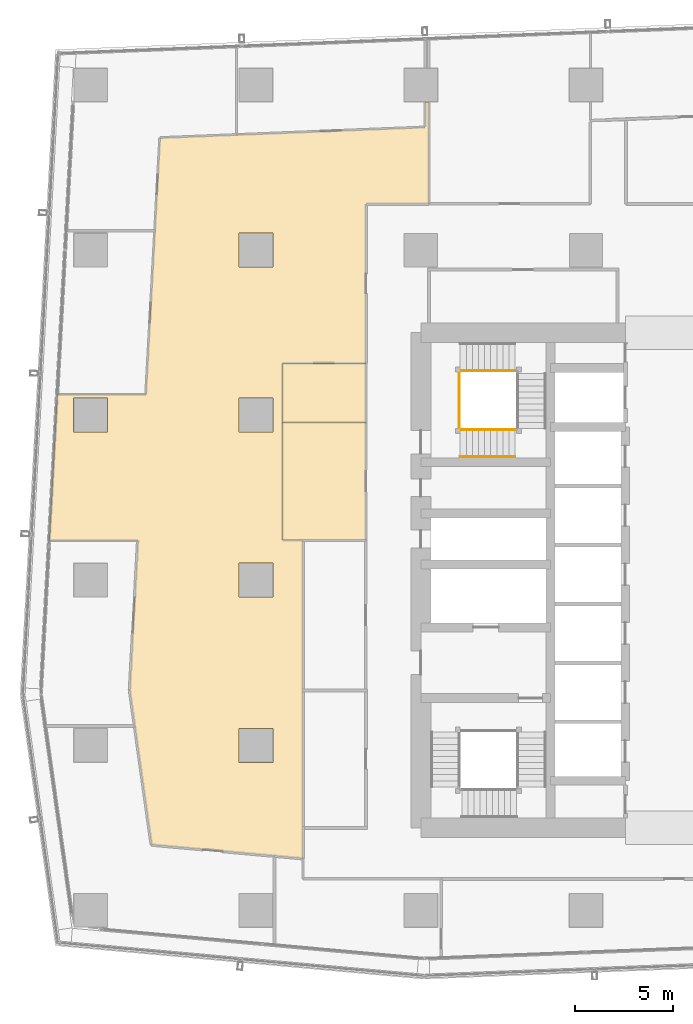
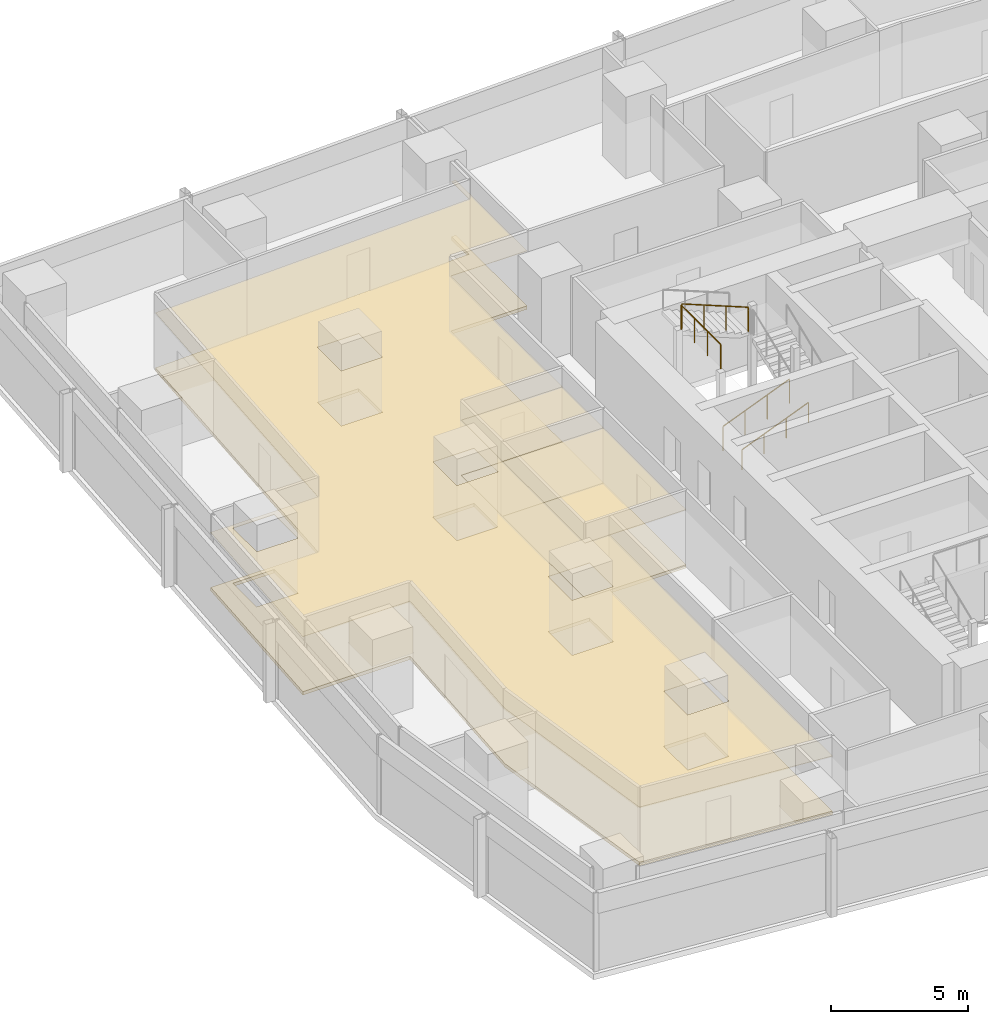
# One storey, part 35 of 40: 6 coverings, 4 railings.
"""IFC4 building model written with IfcOpenShell, lengths in metres."""

from ifc_helpers import new_model, si_unit, direction, frame, origin, origin_2d, place, context, subcontext, project, spatial, polyline, circle, outline, extrude, material, layer, layer_set, type_object, element, save


model = new_model("IFC4")

# Units and contexts
model_context = context("Model", 3, precision=1e-05, world=origin(), true_north=direction((0.0, 1.0)))
body_context = subcontext(model_context, "Body", "Model", "MODEL_VIEW")
ifc_project = project(units=[si_unit("LENGTHUNIT", "METRE"), si_unit("AREAUNIT", "SQUARE_METRE"), si_unit("VOLUMEUNIT", "CUBIC_METRE"), si_unit("PLANEANGLEUNIT", "RADIAN"), si_unit("MASSUNIT", "GRAM", prefix="KILO")], contexts=[model_context])

# Site, building, storey
site_placement = place(None, origin())
site = spatial("IfcSite", under=ifc_project, at=site_placement, CompositionType="ELEMENT")
building_placement = place(site_placement, origin())
building = spatial("IfcBuilding", under=site, at=building_placement, Name="Rekha Terrace Tower", CompositionType="ELEMENT")
storey_placement = place(building_placement, frame((0.0, 0.0, 106.550048828125)))
storey = spatial("IfcBuildingStorey", under=building, at=storey_placement, Name="L26", CompositionType="ELEMENT", Elevation=106.550048828125)

# Coverings
ifc_material_1 = material(Name="Mineral fibre tile in exposed grid", Category="finish")
ifc_layer_1 = layer(ifc_material_1, 0.02001953125)
ifc_layer_set_1 = layer_set([ifc_layer_1], Name="Mineral fibre tile in exposed grid")
covering_type_1 = type_object("IfcCoveringType", Name="CL1 600x1200 office grid ceiling", PredefinedType="CEILING", material=ifc_layer_set_1)
covering_1_placement = place(storey_placement, frame((0.0, 0.0, 2.579833984375)))
element("IfcCovering", 1, at=covering_1_placement, inside=storey, type_object=covering_type_1, Name="Ceiling L26-16", PredefinedType="CEILING", context=body_context, shape_type="SweptSolid", body=[
    extrude(outline(polyline([(22.39990234375, 41.636962890625), (18.14990234375, 41.636962890625), (18.14990234375, 35.637939453125), (22.39990234375, 35.637939453125), (22.39990234375, 41.636962890625)])), origin(), (0.0, 0.0, 1.0), 0.02001953125),
])
covering_2_placement = place(storey_placement, frame((0.0, 0.0, 2.579833984375)))
element("IfcCovering", 2, at=covering_2_placement, inside=storey, type_object=covering_type_1, Name="Ceiling L26-17", PredefinedType="CEILING", context=body_context, shape_type="SweptSolid", body=[
    extrude(outline(polyline([(22.39990234375, 44.636962890625), (18.14990234375, 44.636962890625), (18.14990234375, 41.636962890625), (22.39990234375, 41.636962890625), (22.39990234375, 44.636962890625)])), origin(), (0.0, 0.0, 1.0), 0.02001953125),
])
covering_3_placement = place(storey_placement, frame((0.0, 0.0, 2.579833984375)))
element("IfcCovering", 3, at=covering_3_placement, inside=storey, type_object=covering_type_1, Name="Ceiling L26-O2", PredefinedType="CEILING", context=body_context, shape_type="SweptSolid", body=[
    extrude(outline(polyline([(10.381103515625, 28.006103515625), (10.638916015625, 26.177001953125), (11.489990234375, 20.138916015625), (17.7529296875, 19.570068359375), (19.199951171875, 19.43896484375), (19.199951171875, 35.636962890625), (18.14990234375, 35.636962890625), (18.14990234375, 44.636962890625), (22.39990234375, 44.636962890625), (22.39990234375, 52.75), (25.60009765625, 52.75), (25.60009765625, 57.93505859375), (25.4130859375, 57.93505859375), (25.4130859375, 56.64990234375), (15.799072265625, 56.263916015625), (11.922119140625, 56.10888671875), (11.6630859375, 51.3779296875), (11.2060546875, 43.0458984375), (6.698974609375, 43.0458984375), (6.29296875, 35.634033203125), (10.800048828125, 35.634033203125), (10.381103515625, 28.006103515625)]), holes=[polyline([(17.6650390625, 26.06494140625), (17.6650390625, 24.3349609375), (15.93505859375, 24.3349609375), (15.93505859375, 26.06494140625), (17.6650390625, 26.06494140625)]), polyline([(17.6650390625, 34.465087890625), (17.6650390625, 32.735107421875), (15.93505859375, 32.735107421875), (15.93505859375, 34.465087890625), (17.6650390625, 34.465087890625)]), polyline([(17.6650390625, 41.135009765625), (15.93505859375, 41.135009765625), (15.93505859375, 42.864990234375), (17.6650390625, 42.864990234375), (17.6650390625, 41.135009765625)]), polyline([(17.6650390625, 49.534912109375), (15.93505859375, 49.534912109375), (15.93505859375, 51.264892578125), (17.6650390625, 51.264892578125), (17.6650390625, 49.534912109375)]), polyline([(9.264892578125, 41.135009765625), (7.534912109375, 41.135009765625), (7.534912109375, 42.864990234375), (9.264892578125, 42.864990234375), (9.264892578125, 41.135009765625)])]), origin(), (0.0, 0.0, 1.0), 0.02001953125),
])

# Railings
ifc_material_2 = material(Name="Stainless steel balustrade", Category="steel")
railing_type_1 = type_object("IfcRailingType", Name="GR1 1100 stair guard", PredefinedType="GUARDRAIL", material=ifc_material_2)
railing_1_placement = place(storey_placement, frame((27.199951171875, 41.264892578125, 0.125)))
element("IfcRailing", 4, at=railing_1_placement, inside=storey, type_object=railing_type_1, Name="Guard ST4 L26 flight 1", PredefinedType="GUARDRAIL", context=body_context, shape_type="SweptSolid", body=[
    extrude(circle(Radius=0.02392578125, at=origin_2d()), frame((0.0, 0.0, 1.076171875), z_axis=(0.927443287984, 0.0, 0.373963831907), x_axis=(0.0, 1.0, 0.0)), (0.0, 0.0, 1.0), 3.00830078125),
    extrude(circle(Radius=0.02099609375, at=origin_2d()), origin(), (0.0, 0.0, 1.0), 1.052001953125),
    extrude(circle(Radius=0.02099609375, at=origin_2d()), frame((0.929931640625, 0.0, 0.375)), (0.0, 0.0, 1.0), 1.052001953125),
    extrude(circle(Radius=0.02099609375, at=origin_2d()), frame((1.860107421875, 0.0, 0.75)), (0.0, 0.0, 1.0), 1.052001953125),
    extrude(circle(Radius=0.02099609375, at=origin_2d()), frame((2.7900390625, 0.0, 1.125)), (0.0, 0.0, 1.0), 1.052001953125),
])
railing_2_placement = place(storey_placement, frame((29.989990234375, 44.260009765625, 2.625)))
element("IfcRailing", 5, at=railing_2_placement, inside=storey, type_object=railing_type_1, Name="Guard ST4 L26 flight 3", PredefinedType="GUARDRAIL", context=body_context, shape_type="SweptSolid", body=[
    extrude(circle(Radius=0.02392578125, at=origin_2d()), frame((0.0, 0.0, 1.076171875), z_axis=(-0.927443287984, 0.0, 0.373963831907), x_axis=(0.0, -1.0, 0.0)), (0.0, 0.0, 1.0), 3.00830078125),
    extrude(circle(Radius=0.02099609375, at=origin_2d()), origin(), (0.0, 0.0, 1.0), 1.052001953125),
    extrude(circle(Radius=0.02099609375, at=origin_2d()), frame((-0.929931640625, 0.0, 0.375)), (0.0, 0.0, 1.0), 1.052001953125),
    extrude(circle(Radius=0.02099609375, at=origin_2d()), frame((-1.860107421875, 0.0, 0.75)), (0.0, 0.0, 1.0), 1.052001953125),
    extrude(circle(Radius=0.02099609375, at=origin_2d()), frame((-2.7900390625, 0.0, 1.125)), (0.0, 0.0, 1.0), 1.052001953125),
])
railing_3_placement = place(storey_placement, frame((27.139892578125, 41.324951171875, 3.75)))
element("IfcRailing", 6, at=railing_3_placement, inside=storey, type_object=railing_type_1, Name="Guard ST4 L26 landing 4", PredefinedType="GUARDRAIL", context=body_context, shape_type="SweptSolid", body=[
    extrude(circle(Radius=0.02392578125, at=origin_2d()), frame((0.0, 0.0, 1.076171875), z_axis=(0.0, 1.0, 0.0), x_axis=(-1.0, 0.0, 0.0)), (0.0, 0.0, 1.0), 2.875),
    extrude(circle(Radius=0.02099609375, at=origin_2d()), origin(), (0.0, 0.0, 1.0), 1.052001953125),
    extrude(circle(Radius=0.02099609375, at=origin_2d()), frame((0.0, 0.958251953125, 0.0)), (0.0, 0.0, 1.0), 1.052001953125),
    extrude(circle(Radius=0.02099609375, at=origin_2d()), frame((0.0, 1.916748046875, 0.0)), (0.0, 0.0, 1.0), 1.052001953125),
    extrude(circle(Radius=0.02099609375, at=origin_2d()), frame((0.0, 2.875, 0.0)), (0.0, 0.0, 1.0), 1.052001953125),
])
ifc_material_3 = material(Name="Stainless steel tube", Category="steel")
railing_type_2 = type_object("IfcRailingType", Name="HR1 900 stair handrail", PredefinedType="HANDRAIL", material=ifc_material_3)
railing_4_placement = place(storey_placement, frame((27.199951171875, 39.885009765625, 0.125)))
element("IfcRailing", 7, at=railing_4_placement, inside=storey, type_object=railing_type_2, Name="Handrail ST4 L26 flight 1", PredefinedType="HANDRAIL", context=body_context, shape_type="SweptSolid", body=[
    extrude(circle(Radius=0.02392578125, at=origin_2d()), frame((0.0, 0.0, 0.8759765625), z_axis=(0.927443287984, 0.0, 0.373963831907), x_axis=(0.0, 1.0, 0.0)), (0.0, 0.0, 1.0), 3.00830078125),
    extrude(circle(Radius=0.02099609375, at=origin_2d()), origin(), (0.0, 0.0, 1.0), 0.851806640625),
    extrude(circle(Radius=0.02099609375, at=origin_2d()), frame((0.929931640625, 0.0, 0.375)), (0.0, 0.0, 1.0), 0.851806640625),
    extrude(circle(Radius=0.02099609375, at=origin_2d()), frame((1.860107421875, 0.0, 0.75)), (0.0, 0.0, 1.0), 0.851806640625),
    extrude(circle(Radius=0.02099609375, at=origin_2d()), frame((2.7900390625, 0.0, 1.125)), (0.0, 0.0, 1.0), 0.851806640625),
])

# Coverings
ifc_material_4 = material(Name="Calcium sulphate panels on steel pedestals", Category="steel")
ifc_layer_2 = layer(ifc_material_4, 0.14990234375)
ifc_layer_set_2 = layer_set([ifc_layer_2], Name="Calcium sulphate panels on steel pedestals")
covering_type_2 = type_object("IfcCoveringType", Name="RF1 150 raised access floor", PredefinedType="FLOORING", material=ifc_layer_set_2)
covering_4_placement = place(storey_placement, origin())
element("IfcCovering", 8, at=covering_4_placement, inside=storey, type_object=covering_type_2, Name="Raised floor L26-16", PredefinedType="FLOORING", context=body_context, shape_type="SweptSolid", body=[
    extrude(outline(polyline([(22.39990234375, 41.636962890625), (18.14990234375, 41.636962890625), (18.14990234375, 35.637939453125), (22.39990234375, 35.637939453125), (22.39990234375, 41.636962890625)])), origin(), (0.0, 0.0, 1.0), 0.14990234375),
])
covering_5_placement = place(storey_placement, origin())
element("IfcCovering", 9, at=covering_5_placement, inside=storey, type_object=covering_type_2, Name="Raised floor L26-17", PredefinedType="FLOORING", context=body_context, shape_type="SweptSolid", body=[
    extrude(outline(polyline([(22.39990234375, 44.636962890625), (18.14990234375, 44.636962890625), (18.14990234375, 41.636962890625), (22.39990234375, 41.636962890625), (22.39990234375, 44.636962890625)])), origin(), (0.0, 0.0, 1.0), 0.14990234375),
])
covering_6_placement = place(storey_placement, origin())
element("IfcCovering", 10, at=covering_6_placement, inside=storey, type_object=covering_type_2, Name="Raised floor L26-O2", PredefinedType="FLOORING", context=body_context, shape_type="SweptSolid", body=[
    extrude(outline(polyline([(10.381103515625, 28.006103515625), (10.638916015625, 26.177001953125), (11.489990234375, 20.138916015625), (17.7529296875, 19.570068359375), (19.199951171875, 19.43896484375), (19.199951171875, 35.636962890625), (18.14990234375, 35.636962890625), (18.14990234375, 44.636962890625), (22.39990234375, 44.636962890625), (22.39990234375, 52.75), (25.60009765625, 52.75), (25.60009765625, 57.93505859375), (25.4130859375, 57.93505859375), (25.4130859375, 56.64990234375), (15.799072265625, 56.263916015625), (11.922119140625, 56.10888671875), (11.6630859375, 51.3779296875), (11.2060546875, 43.0458984375), (6.698974609375, 43.0458984375), (6.29296875, 35.634033203125), (10.800048828125, 35.634033203125), (10.381103515625, 28.006103515625)]), holes=[polyline([(17.6650390625, 26.06494140625), (17.6650390625, 24.3349609375), (15.93505859375, 24.3349609375), (15.93505859375, 26.06494140625), (17.6650390625, 26.06494140625)]), polyline([(17.6650390625, 34.465087890625), (17.6650390625, 32.735107421875), (15.93505859375, 32.735107421875), (15.93505859375, 34.465087890625), (17.6650390625, 34.465087890625)]), polyline([(17.6650390625, 41.135009765625), (15.93505859375, 41.135009765625), (15.93505859375, 42.864990234375), (17.6650390625, 42.864990234375), (17.6650390625, 41.135009765625)]), polyline([(17.6650390625, 49.534912109375), (15.93505859375, 49.534912109375), (15.93505859375, 51.264892578125), (17.6650390625, 51.264892578125), (17.6650390625, 49.534912109375)]), polyline([(9.264892578125, 41.135009765625), (7.534912109375, 41.135009765625), (7.534912109375, 42.864990234375), (9.264892578125, 42.864990234375), (9.264892578125, 41.135009765625)])]), origin(), (0.0, 0.0, 1.0), 0.14990234375),
])

save(model, "model.ifc")
